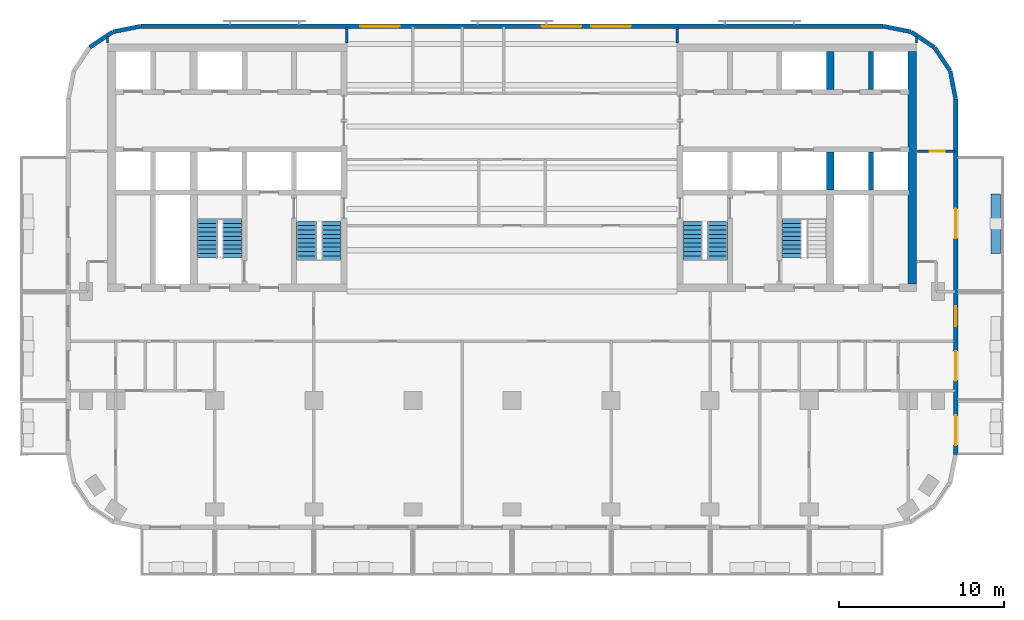
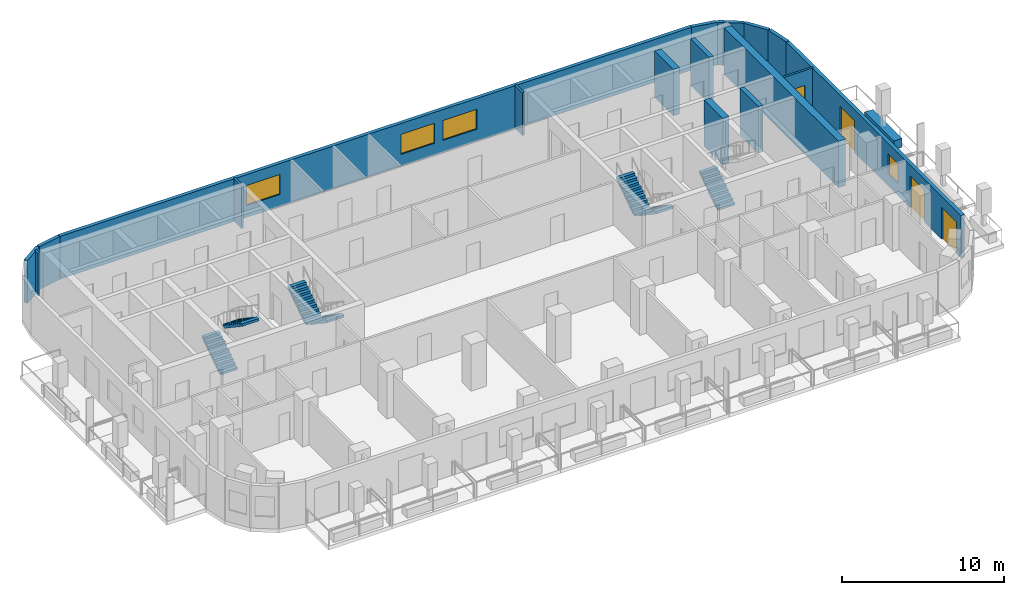
# One storey, part 7 of 11: 19 walls, 7 stair flights, 4 doors, 4 windows, 8 openings, 4 elements without a shape of their own.
"""IFC4 building model written with IfcOpenShell, lengths in metres."""

import ifcopenshell
import ifcopenshell.guid

model = None  # the IFC model being written
_history = None  # IfcOwnerHistory: only IFC2X3 demands one
_inside = {}  # id of a spatial element -> (the spatial element, [elements in it])
_under = {}  # id of a project, library or spatial element -> (it, [spatial elements below it])
_declared = {}  # id of a project -> (the project, [libraries it declares])
_typed = {}  # id of a type object -> (the type object, [elements of that type])
_made_of = {}  # id of a material, layer set ... -> (it, [elements and type objects made of it])


def new_model(schema):
    """Start an empty IFC model of exactly this schema.

    Asked for "IFC4X3", IfcOpenShell would pick the latest addendum, in which some entities
    have other attributes; the version numbers below select the first issue.
    IFC2X3 requires an IfcOwnerHistory on every rooted entity: one is made here for all.
    """
    global model, _history
    if schema == "IFC4X3":
        model = ifcopenshell.file(schema_version=(4, 3, 0, 0))
    else:
        model = ifcopenshell.file(schema=schema)
    _inside.clear()
    _under.clear()
    _declared.clear()
    _typed.clear()
    _made_of.clear()
    _history = None
    if model.schema == "IFC2X3":
        org = make("IfcOrganization", Name="unknown")
        user = make(
            "IfcPersonAndOrganization",
            ThePerson=make("IfcPerson", FamilyName="unknown"),
            TheOrganization=org,
        )
        app = make(
            "IfcApplication",
            ApplicationDeveloper=org,
            Version="unknown",
            ApplicationFullName="unknown",
            ApplicationIdentifier="unknown",
        )
        _history = make(
            "IfcOwnerHistory",
            OwningUser=user,
            OwningApplication=app,
            ChangeAction="ADDED",
            CreationDate=0,
        )
    return model


def make(cls, **values):
    """One entity of the class cls with the attributes given. An attribute that is None is left unset."""
    return model.create_entity(
        cls, **{name: value for name, value in values.items() if value is not None}
    )


def rooted(cls, **values):
    """An entity with a GlobalId (a new one), such as an element, a storey or a relation."""
    return make(cls, GlobalId=ifcopenshell.guid.new(), OwnerHistory=_history, **values)


def si_unit(unit_type, name, prefix=None):
    """IfcSIUnit, for example si_unit("LENGTHUNIT", "METRE", prefix="MILLI")."""
    return make("IfcSIUnit", UnitType=unit_type, Prefix=prefix, Name=name)


def assignment(units):
    """IfcUnitAssignment: the units of a project."""
    return None if units is None else make("IfcUnitAssignment", Units=units)


def point(xyz):
    """IfcCartesianPoint."""
    return None if xyz is None else make("IfcCartesianPoint", Coordinates=xyz)


def direction(xyz):
    """IfcDirection."""
    return None if xyz is None else make("IfcDirection", DirectionRatios=xyz)


def frame(location, z_axis=None, x_axis=None):
    """IfcAxis2Placement3D, a coordinate frame: its origin and axes. An axis left out is left unset."""
    return make(
        "IfcAxis2Placement3D",
        Location=point(location),
        Axis=direction(z_axis),
        RefDirection=direction(x_axis),
    )


def frame_2d(location, x_axis=None):
    """IfcAxis2Placement2D, a coordinate frame in the plane: its origin and x axis."""
    return make(
        "IfcAxis2Placement2D", Location=point(location), RefDirection=direction(x_axis)
    )


def origin():
    """The frame at (0, 0, 0) with its axes left unset."""
    return frame((0.0, 0.0, 0.0))


def place(relative_to, where):
    """IfcLocalPlacement: puts the frame where relative to a parent placement (None: the world)."""
    return make(
        "IfcLocalPlacement", PlacementRelTo=relative_to, RelativePlacement=where
    )


def context(
    kind, dimensions, precision=None, world=None, true_north=None, identifier=None
):
    """IfcGeometricRepresentationContext, for example the 3D "Model" context."""
    return make(
        "IfcGeometricRepresentationContext",
        ContextIdentifier=identifier,
        ContextType=kind,
        CoordinateSpaceDimension=dimensions,
        Precision=precision,
        WorldCoordinateSystem=world,
        TrueNorth=true_north,
    )


def subcontext(parent, identifier, kind, view, scale=None):
    """IfcGeometricRepresentationSubContext, for example "Body" below "Model"."""
    return make(
        "IfcGeometricRepresentationSubContext",
        ContextIdentifier=identifier,
        ContextType=kind,
        ParentContext=parent,
        TargetScale=scale,
        TargetView=view,
    )


def project(units=None, contexts=None):
    """IfcProject with its units and contexts."""
    return rooted(
        "IfcProject",
        Name="project",
        RepresentationContexts=contexts,
        UnitsInContext=assignment(units),
    )


def spatial(cls, under=None, at=None, **own):
    """A site, building, storey or space (cls), placed at a placement, below another one or the project."""
    s = rooted(cls, ObjectPlacement=at, **own)
    if under is not None:
        _under.setdefault(under.id(), (under, []))[1].append(s)
    return s


def polyline(points):
    """IfcPolyline through the points."""
    return make("IfcPolyline", Points=[point(p) for p in points])


def profile(cls, at=None, kind="AREA", **sizes):
    """A parametric profile (cls). Its sizes go by their IFC names, for example OverallWidth=200.0."""
    return make(cls, ProfileType=kind, Position=at, **sizes)


def rectangle(**sizes):
    """IfcRectangleProfileDef."""
    return profile("IfcRectangleProfileDef", **sizes)


def outline(outer, holes=None, kind="AREA"):
    """IfcArbitraryClosedProfileDef: a profile drawn as a closed curve; with holes, ...WithVoids."""
    if holes is None:
        return make("IfcArbitraryClosedProfileDef", ProfileType=kind, OuterCurve=outer)
    return make(
        "IfcArbitraryProfileDefWithVoids",
        ProfileType=kind,
        OuterCurve=outer,
        InnerCurves=holes,
    )


def extrude(swept, where, along, depth):
    """IfcExtrudedAreaSolid: the profile swept, set in the frame where, extruded along a direction by depth."""
    return make(
        "IfcExtrudedAreaSolid",
        SweptArea=swept,
        Position=where,
        ExtrudedDirection=direction(along),
        Depth=depth,
    )


def shape(context_of_items, identifier, shape_type, items):
    """IfcShapeRepresentation: the items that make up one representation, for example the "Body"."""
    return make(
        "IfcShapeRepresentation",
        ContextOfItems=context_of_items,
        RepresentationIdentifier=identifier,
        RepresentationType=shape_type,
        Items=items,
    )


def material(Name=None, Category=None):
    """IfcMaterial."""
    return make("IfcMaterial", Name=Name, Category=Category)


def layer(
    of_material, thickness, ventilated=None, Name=None, Category=None, Priority=None
):
    """IfcMaterialLayer: one layer of a wall or slab, of a material (None: an air gap)."""
    return make(
        "IfcMaterialLayer",
        Material=of_material,
        LayerThickness=thickness,
        IsVentilated=ventilated,
        Name=Name,
        Category=Category,
        Priority=Priority,
    )


def layer_set(layers, Name=None):
    """IfcMaterialLayerSet."""
    return make("IfcMaterialLayerSet", MaterialLayers=layers, LayerSetName=Name)


def made_of(thing, what):
    """Note that an element or type object is made of a material, layer set ...; save() writes the relation."""
    if what is not None:
        _made_of.setdefault(what.id(), (what, []))[1].append(thing)
    return thing


def type_object(cls, material=None, **own):
    """A type object (cls), such as IfcWallType, which elements share."""
    return made_of(rooted(cls, **own), material)


def element(
    cls,
    number,
    at=None,
    inside=None,
    cuts=None,
    type_object=None,
    material=None,
    context=None,
    identifier="Body",
    shape_type=None,
    held_by="IfcProductDefinitionShape",
    body=None,
    shapes=None,
    **own,
):
    """One element of the class cls, such as IfcWall. Its Tag is "e" and its number.

    at: its placement. inside: the storey or other place that contains it. cuts: it is an
    opening in that element (IfcRelVoidsElement). A single representation is given by context,
    identifier, shape_type and body (its items); several are given by shapes. held_by: the class
    of the entity that holds the representations. save() writes the other relations.
    """
    e = rooted(cls, Tag="e%d" % number, ObjectPlacement=at, **own)
    if body is not None:
        shapes = [shape(context, identifier, shape_type, body)]
    if shapes is not None:
        e.Representation = make(held_by, Representations=shapes)
    if inside is not None:
        _inside.setdefault(inside.id(), (inside, []))[1].append(e)
    if cuts is not None:
        rooted(
            "IfcRelVoidsElement", RelatingBuildingElement=cuts, RelatedOpeningElement=e
        )
    if type_object is not None:
        _typed.setdefault(type_object.id(), (type_object, []))[1].append(e)
    return made_of(e, material)


def fill(opening, filler):
    """IfcRelFillsElement: the door or window that sits in an opening."""
    return rooted(
        "IfcRelFillsElement",
        RelatingOpeningElement=opening,
        RelatedBuildingElement=filler,
    )


def aggregate(whole, parts):
    """IfcRelAggregates: a whole, such as a stair, and the parts it consists of."""
    return rooted("IfcRelAggregates", RelatingObject=whole, RelatedObjects=parts)


def save(model, path):
    """Write the relations noted so far, then the file.

    IfcRelAggregates (storeys below a building ...), IfcRelContainedInSpatialStructure (elements
    in a storey), IfcRelDefinesByType, IfcRelAssociatesMaterial and IfcRelDeclares: one each for
    every whole, place, type object, material and project.
    """
    for whole, parts in _under.values():
        aggregate(whole, parts)
    for where, things in _inside.values():
        rooted(
            "IfcRelContainedInSpatialStructure",
            RelatedElements=things,
            RelatingStructure=where,
        )
    for kind, things in _typed.values():
        rooted("IfcRelDefinesByType", RelatedObjects=things, RelatingType=kind)
    for what, things in _made_of.values():
        rooted("IfcRelAssociatesMaterial", RelatedObjects=things, RelatingMaterial=what)
    for by, libraries in _declared.values():
        rooted("IfcRelDeclares", RelatingContext=by, RelatedDefinitions=libraries)
    model.write(path)


model = new_model("IFC4")

# Units and contexts
model_context = context("Model", 3, precision=1e-05, world=origin(), true_north=direction((0.0, 1.0)))
body_context = subcontext(model_context, "Body", "Model", "MODEL_VIEW")
ifc_project = project(units=[si_unit("LENGTHUNIT", "METRE"), si_unit("AREAUNIT", "SQUARE_METRE"), si_unit("VOLUMEUNIT", "CUBIC_METRE"), si_unit("PLANEANGLEUNIT", "RADIAN"), si_unit("MASSUNIT", "GRAM", prefix="KILO")], contexts=[model_context])

# Site, building, storey
site_placement = place(None, origin())
site = spatial("IfcSite", under=ifc_project, at=site_placement, CompositionType="ELEMENT")
building_placement = place(site_placement, origin())
building = spatial("IfcBuilding", under=site, at=building_placement, Name="Torana Hotel and Residences", CompositionType="ELEMENT")
storey_placement = place(building_placement, frame((0.0, 0.0, 229.10009765625)))
storey = spatial("IfcBuildingStorey", under=building, at=storey_placement, Name="L60", CompositionType="ELEMENT", Elevation=229.10009765625)

# Walls
ifc_material_1 = material(Name="Concrete C70/85", Category="concrete")
ifc_layer_1 = layer(ifc_material_1, 0.300048828125)
ifc_layer_set_1 = layer_set([ifc_layer_1], Name="CORE WALL 300 C70/85")
wall_type_1 = type_object("IfcWallType", Name="CORE WALL 300 C70/85", PredefinedType="SHEAR", material=ifc_layer_set_1)
for number, where, z_axis, x_axis, name in (
    (1, (21.75, -2.75, 0.0), (0.0, 0.0, 1.0), (0.0, 1.0, 0.0), "Core wall E mm-N"),
    (2, (21.75, -8.85009765625, 0.0), (0.0, 0.0, 1.0), (0.0, 1.0, 0.0), "Core wall E mm-S"),
):
    element("IfcWall", number, at=place(storey_placement, frame(where, z_axis=z_axis, x_axis=x_axis)), inside=storey, type_object=wall_type_1, Name=name, PredefinedType="SHEAR", context=body_context, shape_type="SweptSolid", body=[
        extrude(rectangle(XDim=2.300048828125, YDim=0.300048828125, at=frame_2d((1.14990234375, 0.0))), origin(), (0.0, 0.0, 1.0), 3.5),
    ])
ifc_material_2 = material(Name="Concrete C70/85", Category="concrete")
ifc_layer_2 = layer(ifc_material_2, 0.449951171875)
ifc_layer_set_2 = layer_set([ifc_layer_2], Name="CORE WALL 450 C70/85")
wall_type_2 = type_object("IfcWallType", Name="CORE WALL 450 C70/85", PredefinedType="SHEAR", material=ifc_layer_set_2)
for number, where, z_axis, x_axis, name in (
    (3, (19.27490234375, -2.75, 0.0), (0.0, 0.0, 1.0), (0.0, 1.0, 0.0), "Core wall E hm-N"),
    (4, (19.27490234375, -8.85009765625, 0.0), (0.0, 0.0, 1.0), (0.0, 1.0, 0.0), "Core wall E hm-S"),
):
    element("IfcWall", number, at=place(storey_placement, frame(where, z_axis=z_axis, x_axis=x_axis)), inside=storey, type_object=wall_type_2, Name=name, PredefinedType="SHEAR", context=body_context, shape_type="SweptSolid", body=[
        extrude(rectangle(XDim=2.300048828125, YDim=0.449951171875, at=frame_2d((1.14990234375, 0.0))), origin(), (0.0, 0.0, 1.0), 3.5),
    ])
ifc_material_3 = material(Name="Concrete C70/85", Category="concrete")
ifc_layer_3 = layer(ifc_material_3, 0.5)
ifc_layer_set_3 = layer_set([ifc_layer_3], Name="CORE WALL 500 C70/85")
wall_type_3 = type_object("IfcWallType", Name="CORE WALL 500 C70/85", PredefinedType="SHEAR", material=ifc_layer_set_3)
wall_1_placement = place(storey_placement, frame((24.25, -14.550048828125, 0.0), z_axis=(0.0, 0.0, 1.0), x_axis=(0.0, 1.0, 0.0)))
element("IfcWall", 5, at=wall_1_placement, inside=storey, type_object=wall_type_3, Name="Core wall E outer", PredefinedType="SHEAR", context=body_context, shape_type="SweptSolid", body=[
    extrude(rectangle(XDim=14.10009765625, YDim=0.5, at=frame_2d((7.050048828125, 0.0))), origin(), (0.0, 0.0, 1.0), 3.5),
])
ifc_material_4 = material(Name="Black aluminium composite panel", Category="aluminium")
ifc_layer_4 = layer(ifc_material_4, 0.00390625, Name="Cladding", Category="cladding")
ifc_material_5 = material(Name="Ventilated air cavity")
ifc_layer_5 = layer(ifc_material_5, 0.0400390625, Name="Ventilated cavity", Category="cavity")
ifc_material_6 = material(Name="Mineral wool insulation")
ifc_layer_6 = layer(ifc_material_6, 0.090087890625, Name="Insulation", Category="insulation")
ifc_material_7 = material(Name="Steel S280GD", Category="steel")
ifc_layer_7 = layer(ifc_material_7, 0.092041015625, Name="Steel stud frame", Category="structure")
ifc_material_8 = material(Name="Fire rated plasterboard")
ifc_layer_8 = layer(ifc_material_8, 0.011962890625, Name="Inner board", Category="finish")
ifc_layer_9 = layer(ifc_material_8, 0.011962890625, Name="Second board", Category="finish")
ifc_layer_set_4 = layer_set([ifc_layer_4, ifc_layer_5, ifc_layer_6, ifc_layer_7, ifc_layer_8, ifc_layer_9], Name="EW1 EXTERNAL WALL BLACK METAL CLAD 250")
wall_type_4 = type_object("IfcWallType", Name="EW1 EXTERNAL WALL BLACK METAL CLAD 250", PredefinedType="SOLIDWALL", material=ifc_layer_set_4)
wall_2_placement = place(storey_placement, frame((26.87255859375, -3.30029296875, 0.0), z_axis=(0.0, 0.0, 1.0), x_axis=(-0.194999110559, 0.980803419081, 0.0)))
element("IfcWall", 6, at=wall_2_placement, inside=storey, type_object=wall_type_4, Name="External wall L60 e0.0", PredefinedType="SOLIDWALL", context=body_context, shape_type="SweptSolid", body=[
    extrude(rectangle(XDim=1.681396484375, YDim=0.25, at=frame_2d((0.8408203125, 0.0))), origin(), (0.0, 0.0, 1.0), 3.219970703125),
])
for number, where, z_axis, x_axis, name in (
    (7, (26.52587890625, -1.60595703125, 0.0), (0.0, 0.0, 1.0), (-0.55555029066, 0.831482937015, 0.0), "External wall L60 e0.1"),
    (8, (25.5712890625, -0.1943359375, 0.0), (0.0, 0.0, 1.0), (-0.831482937015, 0.55555029066, 0.0), "External wall L60 e0.2"),
):
    element("IfcWall", number, at=place(storey_placement, frame(where, z_axis=z_axis, x_axis=x_axis)), inside=storey, type_object=wall_type_4, Name=name, PredefinedType="SOLIDWALL", context=body_context, shape_type="SweptSolid", body=[
        extrude(rectangle(XDim=1.65625, YDim=0.25, at=frame_2d((0.828125, 0.0))), origin(), (0.0, 0.0, 1.0), 3.219970703125),
    ])
for number, where, z_axis, x_axis, name in (
    (9, (24.14892578125, 0.74462890625, 0.0), (0.0, 0.0, 1.0), (-0.980803419081, 0.194999110559, 0.0), "External wall L60 e0.3"),
    (10, (-22.499755859375, 1.072509765625, 0.0), (0.0, 0.0, 1.0), (-0.980803419081, -0.194999110559, 0.0), "External wall L60 e0.5"),
):
    element("IfcWall", number, at=place(storey_placement, frame(where, z_axis=z_axis, x_axis=x_axis)), inside=storey, type_object=wall_type_4, Name=name, PredefinedType="SOLIDWALL", context=body_context, shape_type="SweptSolid", body=[
        extrude(rectangle(XDim=1.681396484375, YDim=0.25, at=frame_2d((0.8408203125, 0.0))), origin(), (0.0, 0.0, 1.0), 3.219970703125),
    ])
wall_3_placement = place(storey_placement, frame((-24.194091796875, 0.725830078125, 0.0), z_axis=(0.0, 0.0, 1.0), x_axis=(-0.831482937015, -0.55555029066, 0.0)))
element("IfcWall", 11, at=wall_3_placement, inside=storey, type_object=wall_type_4, Name="External wall L60 e0.6", PredefinedType="SOLIDWALL", context=body_context, shape_type="SweptSolid", body=[
    extrude(rectangle(XDim=1.65625, YDim=0.25, at=frame_2d((0.828125, 0.0))), origin(), (0.0, 0.0, 1.0), 3.219970703125),
])

# Wall, openings, doors, window
wall_4_placement = place(storey_placement, frame((26.875, -24.87548828125, 0.0), z_axis=(0.0, 0.0, 1.0), x_axis=(0.0, 1.0, 0.0)))
wall_4 = element("IfcWall", 12, at=wall_4_placement, inside=storey, type_object=wall_type_4, Name="External wall L60 e0.19", PredefinedType="SOLIDWALL", context=body_context, shape_type="SweptSolid", body=[
    extrude(rectangle(XDim=21.55078125, YDim=0.25, at=frame_2d((10.775390625, 0.0))), origin(), (0.0, 0.0, 1.0), 3.219970703125),
])
opening_1_placement = place(wall_4_placement, frame((0.575439453125, 0.0, 0.0)))
opening_1 = element("IfcOpeningElement", 13, at=opening_1_placement, cuts=wall_4, Name="Opening L60-E09", PredefinedType="OPENING", context=body_context, shape_type="SweptSolid", body=[
    extrude(rectangle(XDim=1.800048828125, YDim=2.39990234375, at=frame_2d((0.89990234375, 1.199951171875))), frame((0.0, 0.135009765625, 0.0), z_axis=(0.0, -1.0, 0.0), x_axis=(1.0, 0.0, 0.0)), (0.0, 0.0, 1.0), 0.27001953125),
])
opening_2_placement = place(wall_4_placement, frame((4.475341796875, 0.0, 0.0)))
opening_2 = element("IfcOpeningElement", 14, at=opening_2_placement, cuts=wall_4, Name="Opening L60-E10", PredefinedType="OPENING", context=body_context, shape_type="SweptSolid", body=[
    extrude(rectangle(XDim=1.800048828125, YDim=2.39990234375, at=frame_2d((0.89990234375, 1.199951171875))), frame((0.0, 0.135009765625, 0.0), z_axis=(0.0, -1.0, 0.0), x_axis=(1.0, 0.0, 0.0)), (0.0, 0.0, 1.0), 0.27001953125),
])
opening_3_placement = place(wall_4_placement, frame((7.775390625, 0.0, 0.89990234375)))
opening_3 = element("IfcOpeningElement", 15, at=opening_3_placement, cuts=wall_4, Name="Opening W5", PredefinedType="OPENING", context=body_context, shape_type="SweptSolid", body=[
    extrude(rectangle(XDim=1.199951171875, YDim=1.5, at=frame_2d((0.60009765625, 0.75))), frame((0.0, 0.135009765625, 0.0), z_axis=(0.0, -1.0, 0.0), x_axis=(1.0, 0.0, 0.0)), (0.0, 0.0, 1.0), 0.27001953125),
])
opening_4_placement = place(wall_4_placement, frame((13.100341796875, 0.0, 0.0)))
opening_4 = element("IfcOpeningElement", 16, at=opening_4_placement, cuts=wall_4, Name="Opening L60-E11", PredefinedType="OPENING", context=body_context, shape_type="SweptSolid", body=[
    extrude(rectangle(XDim=1.800048828125, YDim=2.39990234375, at=frame_2d((0.89990234375, 1.199951171875))), frame((0.0, 0.135009765625, 0.0), z_axis=(0.0, -1.0, 0.0), x_axis=(1.0, 0.0, 0.0)), (0.0, 0.0, 1.0), 0.27001953125),
])
ifc_material_9 = material(Name="Dark glass in black aluminium frame", Category="aluminium")
door_type_1 = type_object("IfcDoorType", Name="DB1 BALCONY DOOR 1800x2400", OperationType="DOUBLE_DOOR_SINGLE_SWING", PredefinedType="DOOR", material=ifc_material_9)
door_1_placement = place(opening_1_placement, origin())
door_1 = element("IfcDoor", 17, at=door_1_placement, inside=storey, type_object=door_type_1, Name="Balcony door L60", OperationType="DOUBLE_DOOR_SINGLE_SWING", OverallHeight=2.39990234375, OverallWidth=1.800048828125, PredefinedType="DOOR", context=body_context, shape_type="SweptSolid", body=[
    extrude(rectangle(XDim=1.800048828125, YDim=2.39990234375, at=frame_2d((0.89990234375, 1.199951171875))), frame((0.0, 0.02490234375, 0.0), z_axis=(0.0, -1.0, 0.0), x_axis=(1.0, 0.0, 0.0)), (0.0, 0.0, 1.0), 0.050048828125),
])
fill(opening_1, door_1)
door_2_placement = place(opening_2_placement, origin())
door_2 = element("IfcDoor", 18, at=door_2_placement, inside=storey, type_object=door_type_1, Name="Balcony door L60", OperationType="DOUBLE_DOOR_SINGLE_SWING", OverallHeight=2.39990234375, OverallWidth=1.800048828125, PredefinedType="DOOR", context=body_context, shape_type="SweptSolid", body=[
    extrude(rectangle(XDim=1.800048828125, YDim=2.39990234375, at=frame_2d((0.89990234375, 1.199951171875))), frame((0.0, 0.02490234375, 0.0), z_axis=(0.0, -1.0, 0.0), x_axis=(1.0, 0.0, 0.0)), (0.0, 0.0, 1.0), 0.050048828125),
])
fill(opening_2, door_2)
door_3_placement = place(opening_4_placement, origin())
door_3 = element("IfcDoor", 19, at=door_3_placement, inside=storey, type_object=door_type_1, Name="Balcony door L60", OperationType="DOUBLE_DOOR_SINGLE_SWING", OverallHeight=2.39990234375, OverallWidth=1.800048828125, PredefinedType="DOOR", context=body_context, shape_type="SweptSolid", body=[
    extrude(rectangle(XDim=1.800048828125, YDim=2.39990234375, at=frame_2d((0.89990234375, 1.199951171875))), frame((0.0, 0.02490234375, 0.0), z_axis=(0.0, -1.0, 0.0), x_axis=(1.0, 0.0, 0.0)), (0.0, 0.0, 1.0), 0.050048828125),
])
fill(opening_4, door_3)
ifc_material_10 = material(Name="Dark glass in black aluminium frame", Category="aluminium")
window_type_1 = type_object("IfcWindowType", Name="W5 CORNER FACET WINDOW 1200x1500", PartitioningType="SINGLE_PANEL", PredefinedType="WINDOW", material=ifc_material_10)
window_1_placement = place(opening_3_placement, origin())
window_1 = element("IfcWindow", 20, at=window_1_placement, inside=storey, type_object=window_type_1, Name="Window L60", OverallHeight=1.5, OverallWidth=1.199951171875, PartitioningType="SINGLE_PANEL", PredefinedType="WINDOW", context=body_context, shape_type="SweptSolid", body=[
    extrude(rectangle(XDim=1.199951171875, YDim=1.5, at=frame_2d((0.60009765625, 0.75))), frame((0.0, 0.030029296875, 0.0), z_axis=(0.0, -1.0, 0.0), x_axis=(1.0, 0.0, 0.0)), (0.0, 0.0, 1.0), 0.06005859375),
])
fill(opening_3, window_1)

# Wall, openings, windows
ifc_material_11 = material(Name="Concrete C40/50 precast", Category="concrete")
ifc_layer_10 = layer(ifc_material_11, 0.10009765625, Name="Perforated block", Category="cladding")
ifc_material_12 = material(Name="Air cavity")
ifc_layer_11 = layer(ifc_material_12, 0.030029296875, Name="Cavity", Category="cavity")
ifc_material_13 = material(Name="Concrete C40/50", Category="concrete")
ifc_layer_12 = layer(ifc_material_13, 0.10009765625, Name="Wall", Category="structure")
ifc_material_14 = material(Name="Plaster and paint")
ifc_layer_13 = layer(ifc_material_14, 0.02001953125, Name="Inner finish", Category="finish")
ifc_layer_set_5 = layer_set([ifc_layer_10, ifc_layer_11, ifc_layer_12, ifc_layer_13], Name="EW2 PERFORATED BLOCK SCREEN WALL 250")
wall_type_5 = type_object("IfcWallType", Name="EW2 PERFORATED BLOCK SCREEN WALL 250", PredefinedType="SOLIDWALL", material=ifc_layer_set_5)
wall_5_placement = place(storey_placement, frame((22.475341796875, 1.074951171875, 0.0), z_axis=(0.0, 0.0, 1.0), x_axis=(-1.0, 0.0, 0.0)))
wall_5 = element("IfcWall", 21, at=wall_5_placement, inside=storey, type_object=wall_type_5, Name="External wall L60 e0.4", PredefinedType="SOLIDWALL", context=body_context, shape_type="SweptSolid", body=[
    extrude(rectangle(XDim=44.95068359375, YDim=0.25, at=frame_2d((22.475341796875, 0.0))), origin(), (0.0, 0.0, 1.0), 3.219970703125),
])
opening_5_placement = place(wall_5_placement, frame((15.275390625, 0.0, 0.89990234375)))
opening_5 = element("IfcOpeningElement", 22, at=opening_5_placement, cuts=wall_5, Name="Opening W3", PredefinedType="OPENING", context=body_context, shape_type="SweptSolid", body=[
    extrude(rectangle(XDim=2.39990234375, YDim=1.5, at=frame_2d((1.199951171875, 0.75))), frame((0.0, 0.135009765625, 0.0), z_axis=(0.0, -1.0, 0.0), x_axis=(1.0, 0.0, 0.0)), (0.0, 0.0, 1.0), 0.27001953125),
])
opening_6_placement = place(wall_5_placement, frame((18.275390625, 0.0, 0.89990234375)))
opening_6 = element("IfcOpeningElement", 23, at=opening_6_placement, cuts=wall_5, Name="Opening W3", PredefinedType="OPENING", context=body_context, shape_type="SweptSolid", body=[
    extrude(rectangle(XDim=2.39990234375, YDim=1.5, at=frame_2d((1.199951171875, 0.75))), frame((0.0, 0.135009765625, 0.0), z_axis=(0.0, -1.0, 0.0), x_axis=(1.0, 0.0, 0.0)), (0.0, 0.0, 1.0), 0.27001953125),
])
opening_7_placement = place(wall_5_placement, frame((29.275390625, 0.0, 0.89990234375)))
opening_7 = element("IfcOpeningElement", 24, at=opening_7_placement, cuts=wall_5, Name="Opening W3", PredefinedType="OPENING", context=body_context, shape_type="SweptSolid", body=[
    extrude(rectangle(XDim=2.39990234375, YDim=1.5, at=frame_2d((1.199951171875, 0.75))), frame((0.0, 0.135009765625, 0.0), z_axis=(0.0, -1.0, 0.0), x_axis=(1.0, 0.0, 0.0)), (0.0, 0.0, 1.0), 0.27001953125),
])
ifc_material_15 = material(Name="Dark glass in black aluminium frame", Category="aluminium")
window_type_2 = type_object("IfcWindowType", Name="W3 RESIDENCE WINDOW 2400x1500", PartitioningType="SINGLE_PANEL", PredefinedType="WINDOW", material=ifc_material_15)
window_2_placement = place(opening_5_placement, origin())
window_2 = element("IfcWindow", 25, at=window_2_placement, inside=storey, type_object=window_type_2, Name="Window L60", OverallHeight=1.5, OverallWidth=2.39990234375, PartitioningType="SINGLE_PANEL", PredefinedType="WINDOW", context=body_context, shape_type="SweptSolid", body=[
    extrude(rectangle(XDim=2.39990234375, YDim=1.5, at=frame_2d((1.199951171875, 0.75))), frame((0.0, 0.030029296875, 0.0), z_axis=(0.0, -1.0, 0.0), x_axis=(1.0, 0.0, 0.0)), (0.0, 0.0, 1.0), 0.06005859375),
])
fill(opening_5, window_2)
window_3_placement = place(opening_6_placement, origin())
window_3 = element("IfcWindow", 26, at=window_3_placement, inside=storey, type_object=window_type_2, Name="Window L60", OverallHeight=1.5, OverallWidth=2.39990234375, PartitioningType="SINGLE_PANEL", PredefinedType="WINDOW", context=body_context, shape_type="SweptSolid", body=[
    extrude(rectangle(XDim=2.39990234375, YDim=1.5, at=frame_2d((1.199951171875, 0.75))), frame((0.0, 0.030029296875, 0.0), z_axis=(0.0, -1.0, 0.0), x_axis=(1.0, 0.0, 0.0)), (0.0, 0.0, 1.0), 0.06005859375),
])
fill(opening_6, window_3)
window_4_placement = place(opening_7_placement, origin())
window_4 = element("IfcWindow", 27, at=window_4_placement, inside=storey, type_object=window_type_2, Name="Window L60", OverallHeight=1.5, OverallWidth=2.39990234375, PartitioningType="SINGLE_PANEL", PredefinedType="WINDOW", context=body_context, shape_type="SweptSolid", body=[
    extrude(rectangle(XDim=2.39990234375, YDim=1.5, at=frame_2d((1.199951171875, 0.75))), frame((0.0, 0.030029296875, 0.0), z_axis=(0.0, -1.0, 0.0), x_axis=(1.0, 0.0, 0.0)), (0.0, 0.0, 1.0), 0.06005859375),
])
fill(opening_7, window_4)

# Walls
ifc_material_16 = material(Name="Gypsum plasterboard")
ifc_layer_14 = layer(ifc_material_16, 0.012451171875, Name="Plasterboard", Category="finish")
ifc_layer_15 = layer(ifc_material_16, 0.012451171875, Name="Plasterboard", Category="finish")
ifc_layer_16 = layer(ifc_material_7, 0.10009765625, Name="Steel studs with mineral wool", Category="insulation")
ifc_layer_17 = layer(ifc_material_16, 0.012451171875, Name="Plasterboard", Category="finish")
ifc_layer_18 = layer(ifc_material_16, 0.012451171875, Name="Plasterboard", Category="finish")
ifc_layer_set_6 = layer_set([ifc_layer_14, ifc_layer_15, ifc_layer_16, ifc_layer_17, ifc_layer_18], Name="PARTITION 150 PLASTERBOARD")
wall_type_6 = type_object("IfcWallType", Name="PARTITION 150 PLASTERBOARD", PredefinedType="PARTITIONING", material=ifc_layer_set_6)
wall_6_placement = place(storey_placement, frame((24.5, 0.050048828125, 0.0), z_axis=(0.0, 0.0, 1.0), x_axis=(0.0, 1.0, 0.0)))
element("IfcWall", 28, at=wall_6_placement, inside=storey, type_object=wall_type_6, Name="Partition L60", PredefinedType="PARTITIONING", context=body_context, shape_type="SweptSolid", body=[
    extrude(rectangle(XDim=0.4052734375, YDim=0.14990234375, at=frame_2d((0.20263671875, 0.0))), origin(), (0.0, 0.0, 1.0), 3.219970703125),
])
for number, where, z_axis, x_axis, name in (
    (29, (10.0, 0.050048828125, 0.0), (0.0, 0.0, 1.0), (0.0, 1.0, 0.0), "Partition L60"),
    (30, (-10.0, 0.050048828125, 0.0), (0.0, 0.0, 1.0), (0.0, 1.0, 0.0), "Partition L60"),
):
    element("IfcWall", number, at=place(storey_placement, frame(where, z_axis=z_axis, x_axis=x_axis)), inside=storey, type_object=wall_type_6, Name=name, PredefinedType="PARTITIONING", context=body_context, shape_type="SweptSolid", body=[
        extrude(rectangle(XDim=0.969970703125, YDim=0.14990234375, at=frame_2d((0.48486328125, 0.0))), origin(), (0.0, 0.0, 1.0), 3.219970703125),
    ])
wall_7_placement = place(storey_placement, frame((-24.5, 0.050048828125, 0.0), z_axis=(0.0, 0.0, 1.0), x_axis=(0.0, 1.0, 0.0)))
element("IfcWall", 31, at=wall_7_placement, inside=storey, type_object=wall_type_6, Name="Partition L60", PredefinedType="PARTITIONING", context=body_context, shape_type="SweptSolid", body=[
    extrude(rectangle(XDim=0.4052734375, YDim=0.14990234375, at=frame_2d((0.20263671875, 0.0))), origin(), (0.0, 0.0, 1.0), 3.219970703125),
])
ifc_layer_19 = layer(ifc_material_11, 0.10009765625, Name="Planter shell", Category="structure")
ifc_material_17 = material(Name="Root resistant membrane")
ifc_layer_20 = layer(ifc_material_17, 0.00390625, Name="Waterproofing membrane", Category="membrane")
ifc_material_18 = material(Name="Drainage board with filter fleece")
ifc_layer_21 = layer(ifc_material_18, 0.02001953125, Name="Drainage board", Category="drainage")
ifc_material_19 = material(Name="Growing medium")
ifc_layer_22 = layer(ifc_material_19, 0.47607421875, Name="Planting substrate", Category="soil")
ifc_layer_set_7 = layer_set([ifc_layer_19, ifc_layer_20, ifc_layer_21, ifc_layer_22], Name="PL1 BALCONY PLANTER 600")
wall_type_7 = type_object("IfcWallType", Name="PL1 BALCONY PLANTER 600", PredefinedType="USERDEFINED", material=ifc_layer_set_7)
wall_8_placement = place(storey_placement, frame((29.300048828125, -9.10009765625, 0.0), z_axis=(0.0, 0.0, 1.0), x_axis=(0.0, -1.0, 0.0)))
element("IfcWall", 32, at=wall_8_placement, inside=storey, type_object=wall_type_7, Name="Planter 14", ObjectType="PLANTER", PredefinedType="USERDEFINED", context=body_context, shape_type="SweptSolid", body=[
    extrude(rectangle(XDim=3.599853515625, YDim=0.60009765625, at=frame_2d((1.7998046875, 0.0))), origin(), (0.0, 0.0, 1.0), 0.64990234375),
])

# Wall, opening, door
ifc_material_20 = material(Name="Ceramic tile on adhesive")
ifc_layer_23 = layer(ifc_material_20, 0.010009765625, Name="Wall tile", Category="finish")
ifc_material_21 = material(Name="Cement render")
ifc_layer_24 = layer(ifc_material_21, 0.010009765625, Name="Render", Category="finish")
ifc_material_22 = material(Name="Concrete blockwork", Category="masonry")
ifc_layer_25 = layer(ifc_material_22, 0.110107421875, Name="Blockwork", Category="structure")
ifc_layer_26 = layer(ifc_material_21, 0.010009765625, Name="Render", Category="finish")
ifc_layer_27 = layer(ifc_material_20, 0.010009765625, Name="Wall tile", Category="finish")
ifc_layer_set_8 = layer_set([ifc_layer_23, ifc_layer_24, ifc_layer_25, ifc_layer_26, ifc_layer_27], Name="WC PARTITION 150")
wall_type_8 = type_object("IfcWallType", Name="WC PARTITION 150", PredefinedType="PLUMBINGWALL", material=ifc_layer_set_8)
wall_9_placement = place(storey_placement, frame((24.550048828125, -6.5, 0.0), z_axis=(0.0, 0.0, 1.0), x_axis=(1.0, 0.0, 0.0)))
wall_9 = element("IfcWall", 33, at=wall_9_placement, inside=storey, type_object=wall_type_8, Name="Partition L60", PredefinedType="PLUMBINGWALL", context=body_context, shape_type="SweptSolid", body=[
    extrude(rectangle(XDim=2.27001953125, YDim=0.14990234375, at=frame_2d((1.135009765625, 0.0))), origin(), (0.0, 0.0, 1.0), 3.219970703125),
])
opening_8_placement = place(wall_9_placement, frame((0.75, 0.0, 0.0)))
opening_8 = element("IfcOpeningElement", 34, at=opening_8_placement, cuts=wall_9, Name="Opening L60-60", PredefinedType="OPENING", context=body_context, shape_type="SweptSolid", body=[
    extrude(rectangle(XDim=0.89990234375, YDim=2.10009765625, at=frame_2d((0.449951171875, 1.050048828125))), frame((0.0, 0.0849609375, 0.0), z_axis=(0.0, -1.0, 0.0), x_axis=(1.0, 0.0, 0.0)), (0.0, 0.0, 1.0), 0.169921875),
])
ifc_material_23 = material(Name="Timber door, oiled ash", Category="wood")
door_type_2 = type_object("IfcDoorType", Name="ROOM DOOR D7 900x2100", OperationType="SINGLE_SWING_LEFT", PredefinedType="DOOR", material=ifc_material_23)
door_4_placement = place(opening_8_placement, origin())
door_4 = element("IfcDoor", 35, at=door_4_placement, inside=storey, type_object=door_type_2, Name="Door L60", OperationType="SINGLE_SWING_LEFT", OverallHeight=2.10009765625, OverallWidth=0.89990234375, PredefinedType="DOOR", context=body_context, shape_type="SweptSolid", body=[
    extrude(rectangle(XDim=0.89990234375, YDim=2.10009765625, at=frame_2d((0.449951171875, 1.050048828125))), frame((0.0, 0.02490234375, 0.0), z_axis=(0.0, -1.0, 0.0), x_axis=(1.0, 0.0, 0.0)), (0.0, 0.0, 1.0), 0.050048828125),
])
fill(opening_8, door_4)

# Stair, stair flights
ifc_material_24 = material(Name="Concrete C40/50 precast", Category="concrete")
stair_type_1 = type_object("IfcStairType", Name="STAIR ST1 HALF TURN 1200", PredefinedType="HALF_TURN_STAIR", material=ifc_material_24)
stair_1_placement = place(storey_placement, origin())
stair_1 = element("IfcStair", 36, at=stair_1_placement, inside=storey, type_object=stair_type_1, Name="Stair ST1 L60", PredefinedType="HALF_TURN_STAIR")
ifc_material_25 = material(Name="Concrete C40/50 precast", Category="concrete")
stair_flight_type = type_object("IfcStairFlightType", Name="STAIR FLIGHT 1200 PRECAST", PredefinedType="STRAIGHT", material=ifc_material_25)
stair_flight_1_placement = place(storey_placement, frame((-10.949951171875, -10.75, 0.0), z_axis=(0.0, 0.0, 1.0), x_axis=(0.0, -1.0, 0.0)))
stair_flight_1 = element("IfcStairFlight", 37, at=stair_flight_1_placement, type_object=stair_flight_type, Name="ST1 flight 1", NumberOfRisers=10, NumberOfTreads=9, PredefinedType="STRAIGHT", RiserHeight=0.175, TreadLength=0.26, context=body_context, shape_type="SweptSolid", body=[
    extrude(outline(polyline([(0.0, 0.0), (0.0, 0.175048828125), (0.260009765625, 0.175048828125), (0.260009765625, 0.35009765625), (0.52001953125, 0.35009765625), (0.52001953125, 0.52490234375), (0.780029296875, 0.52490234375), (0.780029296875, 0.699951171875), (1.0400390625, 0.699951171875), (1.0400390625, 0.875), (1.300048828125, 0.875), (1.300048828125, 1.050048828125), (1.56005859375, 1.050048828125), (1.56005859375, 1.22509765625), (1.820068359375, 1.22509765625), (1.820068359375, 1.39990234375), (2.080078125, 1.39990234375), (2.080078125, 1.574951171875), (2.340087890625, 1.574951171875), (2.340087890625, 1.75), (2.340087890625, 1.394287109375), (0.2685546875, 0.0), (0.0, 0.0)])), frame((0.0, 0.60009765625, 0.0), z_axis=(0.0, -1.0, 0.0), x_axis=(1.0, 0.0, 0.0)), (0.0, 0.0, 1.0), 1.199951171875),
])
stair_flight_2_placement = place(storey_placement, frame((-12.449951171875, -13.090087890625, 1.75), z_axis=(0.0, 0.0, 1.0), x_axis=(0.0, 1.0, 0.0)))
stair_flight_2 = element("IfcStairFlight", 38, at=stair_flight_2_placement, type_object=stair_flight_type, Name="ST1 flight 2", NumberOfRisers=10, NumberOfTreads=9, PredefinedType="STRAIGHT", RiserHeight=0.175, TreadLength=0.26, context=body_context, shape_type="SweptSolid", body=[
    extrude(outline(polyline([(0.0, 0.0), (0.0, 0.175048828125), (0.260009765625, 0.175048828125), (0.260009765625, 0.35009765625), (0.52001953125, 0.35009765625), (0.52001953125, 0.52490234375), (0.780029296875, 0.52490234375), (0.780029296875, 0.699951171875), (1.0400390625, 0.699951171875), (1.0400390625, 0.875), (1.300048828125, 0.875), (1.300048828125, 1.050048828125), (1.56005859375, 1.050048828125), (1.56005859375, 1.22509765625), (1.820068359375, 1.22509765625), (1.820068359375, 1.39990234375), (2.080078125, 1.39990234375), (2.080078125, 1.574951171875), (2.340087890625, 1.574951171875), (2.340087890625, 1.75), (2.340087890625, 1.394287109375), (0.2685546875, 0.0), (0.0, 0.0)])), frame((0.0, 0.60009765625, 0.0), z_axis=(0.0, -1.0, 0.0), x_axis=(1.0, 0.0, 0.0)), (0.0, 0.0, 1.0), 1.199951171875),
])
aggregate(stair_1, [stair_flight_1, stair_flight_2])

ifc_material_26 = material(Name="Concrete C40/50 precast", Category="concrete")
stair_type_2 = type_object("IfcStairType", Name="STAIR ST2 HALF TURN 1200", PredefinedType="HALF_TURN_STAIR", material=ifc_material_26)
stair_2_placement = place(storey_placement, origin())
stair_2 = element("IfcStair", 39, at=stair_2_placement, inside=storey, type_object=stair_type_2, Name="Stair ST2 L60", PredefinedType="HALF_TURN_STAIR")
stair_flight_3_placement = place(storey_placement, frame((-18.449951171875, -12.949951171875, 0.0), z_axis=(0.0, 0.0, 1.0), x_axis=(0.0, 1.0, 0.0)))
stair_flight_3 = element("IfcStairFlight", 40, at=stair_flight_3_placement, type_object=stair_flight_type, Name="ST2 flight 1", NumberOfRisers=10, NumberOfTreads=9, PredefinedType="STRAIGHT", RiserHeight=0.175, TreadLength=0.26, context=body_context, shape_type="SweptSolid", body=[
    extrude(outline(polyline([(0.0, 0.0), (0.0, 0.175048828125), (0.260009765625, 0.175048828125), (0.260009765625, 0.35009765625), (0.52001953125, 0.35009765625), (0.52001953125, 0.52490234375), (0.780029296875, 0.52490234375), (0.780029296875, 0.699951171875), (1.0400390625, 0.699951171875), (1.0400390625, 0.875), (1.300048828125, 0.875), (1.300048828125, 1.050048828125), (1.56005859375, 1.050048828125), (1.56005859375, 1.22509765625), (1.820068359375, 1.22509765625), (1.820068359375, 1.39990234375), (2.080078125, 1.39990234375), (2.080078125, 1.574951171875), (2.340087890625, 1.574951171875), (2.340087890625, 1.75), (2.340087890625, 1.394287109375), (0.2685546875, 0.0), (0.0, 0.0)])), frame((0.0, 0.60009765625, 0.0), z_axis=(0.0, -1.0, 0.0), x_axis=(1.0, 0.0, 0.0)), (0.0, 0.0, 1.0), 1.199951171875),
])
stair_flight_4_placement = place(storey_placement, frame((-16.949951171875, -10.610107421875, 1.75), z_axis=(0.0, 0.0, 1.0), x_axis=(0.0, -1.0, 0.0)))
stair_flight_4 = element("IfcStairFlight", 41, at=stair_flight_4_placement, type_object=stair_flight_type, Name="ST2 flight 2", NumberOfRisers=10, NumberOfTreads=9, PredefinedType="STRAIGHT", RiserHeight=0.175, TreadLength=0.26, context=body_context, shape_type="SweptSolid", body=[
    extrude(outline(polyline([(0.0, 0.0), (0.0, 0.175048828125), (0.260009765625, 0.175048828125), (0.260009765625, 0.35009765625), (0.52001953125, 0.35009765625), (0.52001953125, 0.52490234375), (0.780029296875, 0.52490234375), (0.780029296875, 0.699951171875), (1.0400390625, 0.699951171875), (1.0400390625, 0.875), (1.300048828125, 0.875), (1.300048828125, 1.050048828125), (1.56005859375, 1.050048828125), (1.56005859375, 1.22509765625), (1.820068359375, 1.22509765625), (1.820068359375, 1.39990234375), (2.080078125, 1.39990234375), (2.080078125, 1.574951171875), (2.340087890625, 1.574951171875), (2.340087890625, 1.75), (2.340087890625, 1.394287109375), (0.2685546875, 0.0), (0.0, 0.0)])), frame((0.0, 0.60009765625, 0.0), z_axis=(0.0, -1.0, 0.0), x_axis=(1.0, 0.0, 0.0)), (0.0, 0.0, 1.0), 1.199951171875),
])
aggregate(stair_2, [stair_flight_3, stair_flight_4])

ifc_material_27 = material(Name="Concrete C40/50 precast", Category="concrete")
stair_type_3 = type_object("IfcStairType", Name="STAIR ST3 HALF TURN 1200", PredefinedType="HALF_TURN_STAIR", material=ifc_material_27)
stair_3_placement = place(storey_placement, origin())
stair_3 = element("IfcStair", 42, at=stair_3_placement, inside=storey, type_object=stair_type_3, Name="Stair ST3 L60", PredefinedType="HALF_TURN_STAIR")
stair_flight_5_placement = place(storey_placement, frame((12.449951171875, -10.75, 0.0), z_axis=(0.0, 0.0, 1.0), x_axis=(0.0, -1.0, 0.0)))
stair_flight_5 = element("IfcStairFlight", 43, at=stair_flight_5_placement, type_object=stair_flight_type, Name="ST3 flight 1", NumberOfRisers=10, NumberOfTreads=9, PredefinedType="STRAIGHT", RiserHeight=0.175, TreadLength=0.26, context=body_context, shape_type="SweptSolid", body=[
    extrude(outline(polyline([(0.0, 0.0), (0.0, 0.175048828125), (0.260009765625, 0.175048828125), (0.260009765625, 0.35009765625), (0.52001953125, 0.35009765625), (0.52001953125, 0.52490234375), (0.780029296875, 0.52490234375), (0.780029296875, 0.699951171875), (1.0400390625, 0.699951171875), (1.0400390625, 0.875), (1.300048828125, 0.875), (1.300048828125, 1.050048828125), (1.56005859375, 1.050048828125), (1.56005859375, 1.22509765625), (1.820068359375, 1.22509765625), (1.820068359375, 1.39990234375), (2.080078125, 1.39990234375), (2.080078125, 1.574951171875), (2.340087890625, 1.574951171875), (2.340087890625, 1.75), (2.340087890625, 1.394287109375), (0.2685546875, 0.0), (0.0, 0.0)])), frame((0.0, 0.60009765625, 0.0), z_axis=(0.0, -1.0, 0.0), x_axis=(1.0, 0.0, 0.0)), (0.0, 0.0, 1.0), 1.199951171875),
])
stair_flight_6_placement = place(storey_placement, frame((10.949951171875, -13.090087890625, 1.75), z_axis=(0.0, 0.0, 1.0), x_axis=(0.0, 1.0, 0.0)))
stair_flight_6 = element("IfcStairFlight", 44, at=stair_flight_6_placement, type_object=stair_flight_type, Name="ST3 flight 2", NumberOfRisers=10, NumberOfTreads=9, PredefinedType="STRAIGHT", RiserHeight=0.175, TreadLength=0.26, context=body_context, shape_type="SweptSolid", body=[
    extrude(outline(polyline([(0.0, 0.0), (0.0, 0.175048828125), (0.260009765625, 0.175048828125), (0.260009765625, 0.35009765625), (0.52001953125, 0.35009765625), (0.52001953125, 0.52490234375), (0.780029296875, 0.52490234375), (0.780029296875, 0.699951171875), (1.0400390625, 0.699951171875), (1.0400390625, 0.875), (1.300048828125, 0.875), (1.300048828125, 1.050048828125), (1.56005859375, 1.050048828125), (1.56005859375, 1.22509765625), (1.820068359375, 1.22509765625), (1.820068359375, 1.39990234375), (2.080078125, 1.39990234375), (2.080078125, 1.574951171875), (2.340087890625, 1.574951171875), (2.340087890625, 1.75), (2.340087890625, 1.394287109375), (0.2685546875, 0.0), (0.0, 0.0)])), frame((0.0, 0.60009765625, 0.0), z_axis=(0.0, -1.0, 0.0), x_axis=(1.0, 0.0, 0.0)), (0.0, 0.0, 1.0), 1.199951171875),
])
aggregate(stair_3, [stair_flight_5, stair_flight_6])

# Stair, stair flight
ifc_material_28 = material(Name="Concrete C40/50 precast", Category="concrete")
stair_type_4 = type_object("IfcStairType", Name="STAIR ST4 HALF TURN 1200", PredefinedType="HALF_TURN_STAIR", material=ifc_material_28)
stair_4_placement = place(storey_placement, origin())
stair_4 = element("IfcStair", 45, at=stair_4_placement, inside=storey, type_object=stair_type_4, Name="Stair ST4 L60", PredefinedType="HALF_TURN_STAIR")
stair_flight_7_placement = place(storey_placement, frame((16.949951171875, -12.949951171875, 0.0), z_axis=(0.0, 0.0, 1.0), x_axis=(0.0, 1.0, 0.0)))
stair_flight_7 = element("IfcStairFlight", 46, at=stair_flight_7_placement, type_object=stair_flight_type, Name="ST4 flight 1", NumberOfRisers=10, NumberOfTreads=9, PredefinedType="STRAIGHT", RiserHeight=0.175, TreadLength=0.26, context=body_context, shape_type="SweptSolid", body=[
    extrude(outline(polyline([(0.0, 0.0), (0.0, 0.175048828125), (0.260009765625, 0.175048828125), (0.260009765625, 0.35009765625), (0.52001953125, 0.35009765625), (0.52001953125, 0.52490234375), (0.780029296875, 0.52490234375), (0.780029296875, 0.699951171875), (1.0400390625, 0.699951171875), (1.0400390625, 0.875), (1.300048828125, 0.875), (1.300048828125, 1.050048828125), (1.56005859375, 1.050048828125), (1.56005859375, 1.22509765625), (1.820068359375, 1.22509765625), (1.820068359375, 1.39990234375), (2.080078125, 1.39990234375), (2.080078125, 1.574951171875), (2.340087890625, 1.574951171875), (2.340087890625, 1.75), (2.340087890625, 1.394287109375), (0.2685546875, 0.0), (0.0, 0.0)])), frame((0.0, 0.60009765625, 0.0), z_axis=(0.0, -1.0, 0.0), x_axis=(1.0, 0.0, 0.0)), (0.0, 0.0, 1.0), 1.199951171875),
])
aggregate(stair_4, [stair_flight_7])

save(model, "model.ifc")
